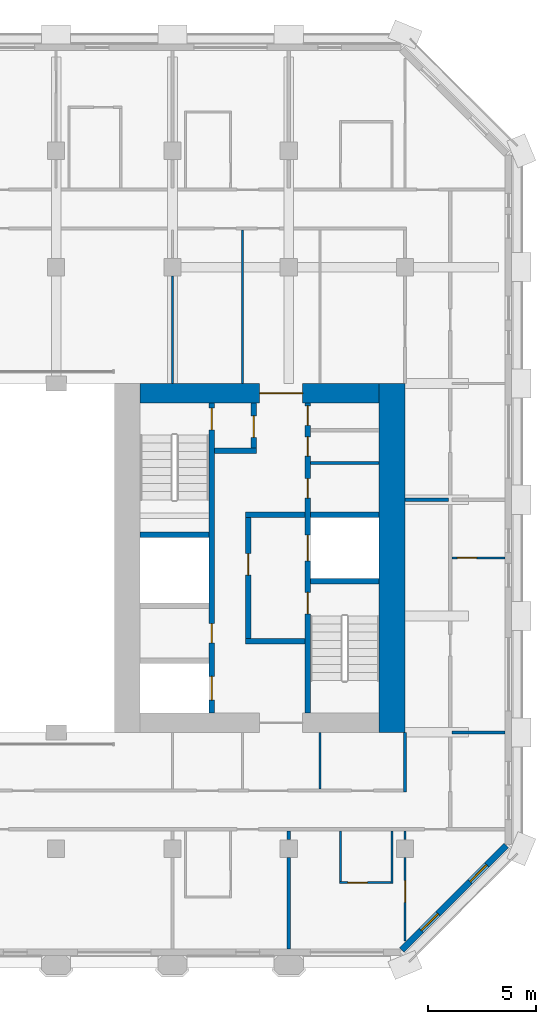
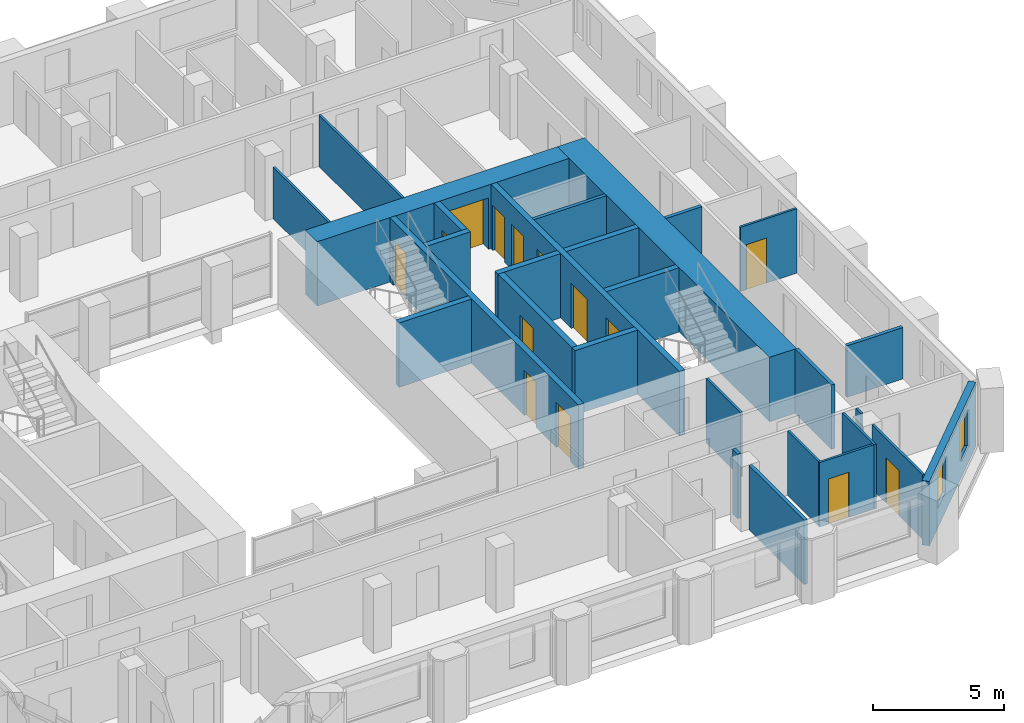
# One storey, part 6 of 12: 28 walls, 14 doors, 2 windows, 16 openings.
"""IFC4 building model written with IfcOpenShell, lengths in metres."""

from ifc_helpers import new_model, si_unit, direction, frame, frame_2d, origin, place, context, subcontext, project, spatial, rectangle, extrude, material, layer, layer_set, type_object, element, fill, save


model = new_model("IFC4")

# Units and contexts
model_context = context("Model", 3, precision=1e-05, world=origin(), true_north=direction((0.0, 1.0)))
body_context = subcontext(model_context, "Body", "Model", "MODEL_VIEW")
ifc_project = project(units=[si_unit("LENGTHUNIT", "METRE"), si_unit("AREAUNIT", "SQUARE_METRE"), si_unit("VOLUMEUNIT", "CUBIC_METRE"), si_unit("PLANEANGLEUNIT", "RADIAN"), si_unit("MASSUNIT", "GRAM", prefix="KILO")], contexts=[model_context])

# Site, building, storey
site_placement = place(None, origin())
site = spatial("IfcSite", under=ifc_project, at=site_placement, CompositionType="ELEMENT")
building_placement = place(site_placement, origin())
building = spatial("IfcBuilding", under=site, at=building_placement, Name="Tabaq Tower and Sports Hall", CompositionType="ELEMENT")
storey_placement = place(building_placement, frame((0.0, 0.0, 190.60009765625)))
storey = spatial("IfcBuildingStorey", under=building, at=storey_placement, Name="L46", CompositionType="ELEMENT", Elevation=190.60009765625)

# Walls
ifc_material_1 = material(Name="Blockwork", Category="masonry")
ifc_layer_1 = layer(ifc_material_1, 0.14990234375)
ifc_layer_set_1 = layer_set([ifc_layer_1], Name="Core room partition 150 Blockwork")
wall_type_1 = type_object("IfcWallType", Name="Core room partition 150 Blockwork", PredefinedType="PARTITIONING", material=ifc_layer_set_1)
wall_1_placement = place(storey_placement, frame((38.800048828125, 28.708984375, 0.0), z_axis=(0.0, 0.0, 1.0), x_axis=(1.0, 0.0, 0.0)))
element("IfcWall", 1, at=wall_1_placement, inside=storey, type_object=wall_type_1, Name="Core room partition E L46", PredefinedType="PARTITIONING", context=body_context, shape_type="SweptSolid", body=[
    extrude(rectangle(XDim=3.199951171875, YDim=0.14990234375, at=frame_2d((1.60009765625, 0.0))), origin(), (0.0, 0.0, 1.0), 3.0),
])
ifc_material_2 = material(Name="Concrete C50/60", Category="concrete")
ifc_layer_2 = layer(ifc_material_2, 1.199951171875)
ifc_layer_set_2 = layer_set([ifc_layer_2], Name="Core wall 1200 Concrete C50/60")
wall_type_2 = type_object("IfcWallType", Name="Core wall 1200 Concrete C50/60", PredefinedType="SOLIDWALL", material=ifc_layer_set_2)
wall_2_placement = place(storey_placement, frame((42.60009765625, 32.39990234375, 0.0), z_axis=(0.0, 0.0, 1.0), x_axis=(0.0, -1.0, 0.0)))
element("IfcWall", 2, at=wall_2_placement, inside=storey, type_object=wall_type_2, Name="Core wall E L46", PredefinedType="SOLIDWALL", context=body_context, shape_type="SweptSolid", body=[
    extrude(rectangle(XDim=16.199951171875, YDim=1.199951171875, at=frame_2d((8.10009765625, 0.0))), origin(), (0.0, 0.0, 1.0), 3.0),
])

# Wall, opening, door
ifc_material_3 = material(Name="Concrete C50/60", Category="concrete")
ifc_layer_3 = layer(ifc_material_3, 0.89990234375)
ifc_layer_set_3 = layer_set([ifc_layer_3], Name="Core wall 900 Concrete C50/60")
wall_type_3 = type_object("IfcWallType", Name="Core wall 900 Concrete C50/60", PredefinedType="SOLIDWALL", material=ifc_layer_set_3)
wall_3_placement = place(storey_placement, frame((30.89990234375, 31.949951171875, 0.0), z_axis=(0.0, 0.0, 1.0), x_axis=(1.0, 0.0, 0.0)))
wall_3 = element("IfcWall", 3, at=wall_3_placement, inside=storey, type_object=wall_type_3, Name="Core wall E L46", PredefinedType="SOLIDWALL", context=body_context, shape_type="SweptSolid", body=[
    extrude(rectangle(XDim=11.10009765625, YDim=0.89990234375, at=frame_2d((5.550048828125, 0.0))), origin(), (0.0, 0.0, 1.0), 3.0),
])
opening_1_placement = place(wall_3_placement, frame((5.550048828125, 0.0, 0.0)))
opening_1 = element("IfcOpeningElement", 4, at=opening_1_placement, cuts=wall_3, Name="Opening PD-EL46-02", PredefinedType="OPENING", context=body_context, shape_type="SweptSolid", body=[
    extrude(rectangle(XDim=2.0, YDim=2.39990234375, at=frame_2d((1.0, 1.199951171875))), frame((0.0, 0.449951171875, 0.0), z_axis=(0.0, -1.0, 0.0), x_axis=(1.0, 0.0, 0.0)), (0.0, 0.0, 1.0), 0.89990234375),
])
ifc_material_4 = material(Name="Steel fire door", Category="steel")
door_type_1 = type_object("IfcDoorType", Name="Core entrance door 2000", OperationType="DOUBLE_DOOR_SINGLE_SWING", PredefinedType="DOOR", material=ifc_material_4)
door_1_placement = place(opening_1_placement, origin())
door_1 = element("IfcDoor", 5, at=door_1_placement, inside=storey, type_object=door_type_1, Name="Core entrance north E L46", OperationType="DOUBLE_DOOR_SINGLE_SWING", OverallHeight=2.39990234375, OverallWidth=2.0, PredefinedType="DOOR", context=body_context, shape_type="SweptSolid", body=[
    extrude(rectangle(XDim=2.0, YDim=2.39990234375, at=frame_2d((1.0, 1.199951171875))), frame((0.0, 0.02490234375, 0.0), z_axis=(0.0, -1.0, 0.0), x_axis=(1.0, 0.0, 0.0)), (0.0, 0.0, 1.0), 0.050048828125),
])
fill(opening_1, door_1)

# Walls
ifc_material_5 = material(Name="Gypsum board on steel studs", Category="steel")
ifc_layer_4 = layer(ifc_material_5, 0.10009765625)
ifc_layer_set_4 = layer_set([ifc_layer_4], Name="Partition 100 Gypsum board")
wall_type_4 = type_object("IfcWallType", Name="Partition 100 Gypsum board", PredefinedType="PARTITIONING", material=ifc_layer_set_4)
wall_4_placement = place(storey_placement, frame((32.39990234375, 32.39990234375, 0.0), z_axis=(0.0, 0.0, 1.0), x_axis=(0.0, 1.0, 0.0)))
element("IfcWall", 6, at=wall_4_placement, inside=storey, type_object=wall_type_4, Name="Partition wall L46", PredefinedType="PARTITIONING", context=body_context, shape_type="SweptSolid", body=[
    extrude(rectangle(XDim=4.97998046875, YDim=0.10009765625, at=frame_2d((2.489990234375, 0.0))), origin(), (0.0, 0.0, 1.0), 2.39990234375),
])
wall_5_placement = place(storey_placement, frame((35.64990234375, 39.52490234375, 0.0), z_axis=(0.0, 0.0, 1.0), x_axis=(0.0, -1.0, 0.0)))
element("IfcWall", 7, at=wall_5_placement, inside=storey, type_object=wall_type_4, Name="Partition wall L46", PredefinedType="PARTITIONING", context=body_context, shape_type="SweptSolid", body=[
    extrude(rectangle(XDim=7.125, YDim=0.10009765625, at=frame_2d((3.5625, 0.0))), origin(), (0.0, 0.0, 1.0), 2.39990234375),
])

# Wall, opening, door
wall_6_placement = place(storey_placement, frame((43.199951171875, 6.51220703125, 0.0), z_axis=(0.0, 0.0, 1.0), x_axis=(0.0, 1.0, 0.0)))
wall_6 = element("IfcWall", 8, at=wall_6_placement, inside=storey, type_object=wall_type_4, Name="Partition wall L46", PredefinedType="PARTITIONING", context=body_context, shape_type="SweptSolid", body=[
    extrude(rectangle(XDim=3.86767578125, YDim=0.10009765625, at=frame_2d((1.933837890625, 0.0))), origin(), (0.0, 0.0, 1.0), 3.0),
])
opening_2_placement = place(wall_6_placement, frame((1.80029296875, 0.0, 0.0)))
opening_2 = element("IfcOpeningElement", 9, at=opening_2_placement, cuts=wall_6, Name="Opening L46-037", PredefinedType="OPENING", context=body_context, shape_type="SweptSolid", body=[
    extrude(rectangle(XDim=1.0, YDim=2.10009765625, at=frame_2d((0.5, 1.050048828125))), frame((0.0, 0.050048828125, 0.0), z_axis=(0.0, -1.0, 0.0), x_axis=(1.0, 0.0, 0.0)), (0.0, 0.0, 1.0), 0.10009765625),
])
ifc_material_6 = material(Name="Timber leaf in steel frame", Category="steel")
door_type_2 = type_object("IfcDoorType", Name="Internal door 1000 right hand", OperationType="SINGLE_SWING_RIGHT", PredefinedType="DOOR", material=ifc_material_6)
door_2_placement = place(opening_2_placement, origin())
door_2 = element("IfcDoor", 10, at=door_2_placement, inside=storey, type_object=door_type_2, Name="Internal door L46-037", OperationType="SINGLE_SWING_RIGHT", OverallHeight=2.10009765625, OverallWidth=1.0, PredefinedType="DOOR", context=body_context, shape_type="SweptSolid", body=[
    extrude(rectangle(XDim=1.0, YDim=2.10009765625, at=frame_2d((0.5, 1.050048828125))), frame((0.0, 0.02490234375, 0.0), z_axis=(0.0, -1.0, 0.0), x_axis=(1.0, 0.0, 0.0)), (0.0, 0.0, 1.0), 0.050048828125),
])
fill(opening_2, door_2)

# Walls
wall_7_placement = place(storey_placement, frame((43.199951171875, 11.219970703125, 0.0), z_axis=(0.0, 0.0, 1.0), x_axis=(0.0, 1.0, 0.0)))
element("IfcWall", 11, at=wall_7_placement, inside=storey, type_object=wall_type_4, Name="Partition wall L46", PredefinedType="PARTITIONING", context=body_context, shape_type="SweptSolid", body=[
    extrude(rectangle(XDim=0.405029296875, YDim=0.10009765625, at=frame_2d((0.20263671875, 0.0))), origin(), (0.0, 0.0, 1.0), 3.0),
])
wall_8_placement = place(storey_placement, frame((42.60009765625, 11.625, 0.0), z_axis=(0.0, 0.0, 1.0), x_axis=(0.0, -1.0, 0.0)))
element("IfcWall", 12, at=wall_8_placement, inside=storey, type_object=wall_type_4, Name="Partition wall L46", PredefinedType="PARTITIONING", context=body_context, shape_type="SweptSolid", body=[
    extrude(rectangle(XDim=2.449951171875, YDim=0.10009765625, at=frame_2d((1.22509765625, 0.0))), origin(), (0.0, 0.0, 1.0), 3.0),
])

# Wall, opening, door
wall_9_placement = place(storey_placement, frame((42.550048828125, 9.22509765625, 0.0), z_axis=(0.0, 0.0, 1.0), x_axis=(-1.0, 0.0, 0.0)))
wall_9 = element("IfcWall", 13, at=wall_9_placement, inside=storey, type_object=wall_type_4, Name="Partition wall L46", PredefinedType="PARTITIONING", context=body_context, shape_type="SweptSolid", body=[
    extrude(rectangle(XDim=2.400146484375, YDim=0.10009765625, at=frame_2d((1.2001953125, 0.0))), origin(), (0.0, 0.0, 1.0), 3.0),
])
opening_3_placement = place(wall_9_placement, frame((1.10009765625, 0.0, 0.0)))
opening_3 = element("IfcOpeningElement", 14, at=opening_3_placement, cuts=wall_9, Name="Opening L46-017", PredefinedType="OPENING", context=body_context, shape_type="SweptSolid", body=[
    extrude(rectangle(XDim=0.89990234375, YDim=2.10009765625, at=frame_2d((0.449951171875, 1.050048828125))), frame((0.0, 0.050048828125, 0.0), z_axis=(0.0, -1.0, 0.0), x_axis=(1.0, 0.0, 0.0)), (0.0, 0.0, 1.0), 0.10009765625),
])
ifc_material_7 = material(Name="Timber leaf in steel frame", Category="steel")
door_type_3 = type_object("IfcDoorType", Name="Internal door 900 right hand", OperationType="SINGLE_SWING_RIGHT", PredefinedType="DOOR", material=ifc_material_7)
door_3_placement = place(opening_3_placement, origin())
door_3 = element("IfcDoor", 15, at=door_3_placement, inside=storey, type_object=door_type_3, Name="Internal door L46-017", OperationType="SINGLE_SWING_RIGHT", OverallHeight=2.10009765625, OverallWidth=0.89990234375, PredefinedType="DOOR", context=body_context, shape_type="SweptSolid", body=[
    extrude(rectangle(XDim=0.89990234375, YDim=2.10009765625, at=frame_2d((0.449951171875, 1.050048828125))), frame((0.0, 0.02490234375, 0.0), z_axis=(0.0, -1.0, 0.0), x_axis=(1.0, 0.0, 0.0)), (0.0, 0.0, 1.0), 0.050048828125),
])
fill(opening_3, door_3)

# Wall
wall_10_placement = place(storey_placement, frame((40.199951171875, 9.27490234375, 0.0), z_axis=(0.0, 0.0, 1.0), x_axis=(0.0, 1.0, 0.0)))
element("IfcWall", 16, at=wall_10_placement, inside=storey, type_object=wall_type_4, Name="Partition wall L46", PredefinedType="PARTITIONING", context=body_context, shape_type="SweptSolid", body=[
    extrude(rectangle(XDim=2.35009765625, YDim=0.10009765625, at=frame_2d((1.175048828125, 0.0))), origin(), (0.0, 0.0, 1.0), 3.0),
])

# Wall, opening, door
wall_11_placement = place(storey_placement, frame((47.84912109375, 24.300048828125, 0.0), z_axis=(0.0, 0.0, 1.0), x_axis=(-1.0, 0.0, 0.0)))
wall_11 = element("IfcWall", 17, at=wall_11_placement, inside=storey, type_object=wall_type_4, Name="Partition wall L46", PredefinedType="PARTITIONING", context=body_context, shape_type="SweptSolid", body=[
    extrude(rectangle(XDim=2.47412109375, YDim=0.10009765625, at=frame_2d((1.237060546875, 0.0))), origin(), (0.0, 0.0, 1.0), 3.0),
])
opening_4_placement = place(wall_11_placement, frame((1.323974609375, 0.0, 0.0)))
opening_4 = element("IfcOpeningElement", 18, at=opening_4_placement, cuts=wall_11, Name="Opening L46-020", PredefinedType="OPENING", context=body_context, shape_type="SweptSolid", body=[
    extrude(rectangle(XDim=0.89990234375, YDim=2.10009765625, at=frame_2d((0.449951171875, 1.050048828125))), frame((0.0, 0.050048828125, 0.0), z_axis=(0.0, -1.0, 0.0), x_axis=(1.0, 0.0, 0.0)), (0.0, 0.0, 1.0), 0.10009765625),
])
ifc_material_8 = material(Name="Timber leaf in steel frame", Category="steel")
door_type_4 = type_object("IfcDoorType", Name="Internal door 900 left hand", OperationType="SINGLE_SWING_LEFT", PredefinedType="DOOR", material=ifc_material_8)
door_4_placement = place(opening_4_placement, origin())
door_4 = element("IfcDoor", 19, at=door_4_placement, inside=storey, type_object=door_type_4, Name="Internal door L46-020", OperationType="SINGLE_SWING_LEFT", OverallHeight=2.10009765625, OverallWidth=0.89990234375, PredefinedType="DOOR", context=body_context, shape_type="SweptSolid", body=[
    extrude(rectangle(XDim=0.89990234375, YDim=2.10009765625, at=frame_2d((0.449951171875, 1.050048828125))), frame((0.0, 0.02490234375, 0.0), z_axis=(0.0, -1.0, 0.0), x_axis=(1.0, 0.0, 0.0)), (0.0, 0.0, 1.0), 0.050048828125),
])
fill(opening_4, door_4)

# Walls
wall_12_placement = place(storey_placement, frame((39.25, 13.574951171875, 0.0), z_axis=(0.0, 0.0, 1.0), x_axis=(0.0, 1.0, 0.0)))
element("IfcWall", 20, at=wall_12_placement, inside=storey, type_object=wall_type_4, Name="Partition wall L46", PredefinedType="PARTITIONING", context=body_context, shape_type="SweptSolid", body=[
    extrude(rectangle(XDim=2.625, YDim=0.10009765625, at=frame_2d((1.3125, 0.0))), origin(), (0.0, 0.0, 1.0), 3.0),
])
ifc_material_9 = material(Name="Blockwork", Category="masonry")
ifc_layer_5 = layer(ifc_material_9, 0.14990234375)
ifc_layer_set_5 = layer_set([ifc_layer_5], Name="Separating wall 150 Blockwork")
wall_type_5 = type_object("IfcWallType", Name="Separating wall 150 Blockwork", PredefinedType="PARTITIONING", material=ifc_layer_set_5)
wall_13_placement = place(storey_placement, frame((43.199951171875, 27.0, 0.0), z_axis=(0.0, 0.0, 1.0), x_axis=(1.0, 0.0, 0.0)))
element("IfcWall", 21, at=wall_13_placement, inside=storey, type_object=wall_type_5, Name="Separating wall L46", PredefinedType="PARTITIONING", context=body_context, shape_type="SweptSolid", body=[
    extrude(rectangle(XDim=2.025146484375, YDim=0.14990234375, at=frame_2d((1.0126953125, 0.0))), origin(), (0.0, 0.0, 1.0), 2.39990234375),
])
wall_14_placement = place(storey_placement, frame((47.84912109375, 16.199951171875, 0.0), z_axis=(0.0, 0.0, 1.0), x_axis=(-1.0, 0.0, 0.0)))
element("IfcWall", 22, at=wall_14_placement, inside=storey, type_object=wall_type_5, Name="Separating wall L46", PredefinedType="PARTITIONING", context=body_context, shape_type="SweptSolid", body=[
    extrude(rectangle(XDim=2.47412109375, YDim=0.14990234375, at=frame_2d((1.237060546875, 0.0))), origin(), (0.0, 0.0, 1.0), 2.39990234375),
])
wall_15_placement = place(storey_placement, frame((37.800048828125, 6.15087890625, 0.0), z_axis=(0.0, 0.0, 1.0), x_axis=(0.0, 1.0, 0.0)))
element("IfcWall", 23, at=wall_15_placement, inside=storey, type_object=wall_type_5, Name="Separating wall L46", PredefinedType="PARTITIONING", context=body_context, shape_type="SweptSolid", body=[
    extrude(rectangle(XDim=4.22900390625, YDim=0.14990234375, at=frame_2d((2.114501953125, 0.0))), origin(), (0.0, 0.0, 1.0), 3.0),
])
wall_16_placement = place(storey_placement, frame((37.800048828125, 11.219970703125, 0.0), z_axis=(0.0, 0.0, 1.0), x_axis=(0.0, 1.0, 0.0)))
element("IfcWall", 24, at=wall_16_placement, inside=storey, type_object=wall_type_5, Name="Separating wall L46", PredefinedType="PARTITIONING", context=body_context, shape_type="SweptSolid", body=[
    extrude(rectangle(XDim=0.405029296875, YDim=0.14990234375, at=frame_2d((0.20263671875, 0.0))), origin(), (0.0, 0.0, 1.0), 3.0),
])
wall_17_placement = place(storey_placement, frame((43.199951171875, 16.199951171875, 0.0), z_axis=(0.0, 0.0, 1.0), x_axis=(0.0, -1.0, 0.0)))
element("IfcWall", 25, at=wall_17_placement, inside=storey, type_object=wall_type_5, Name="Separating wall L46", PredefinedType="PARTITIONING", context=body_context, shape_type="SweptSolid", body=[
    extrude(rectangle(XDim=2.77490234375, YDim=0.14990234375, at=frame_2d((1.387451171875, 0.0))), origin(), (0.0, 0.0, 1.0), 3.0),
])

# Wall, openings, doors
ifc_material_10 = material(Name="Concrete C40/50", Category="concrete")
ifc_layer_6 = layer(ifc_material_10, 0.25)
ifc_layer_set_6 = layer_set([ifc_layer_6], Name="Shaft and stair wall 250 Concrete C40/50")
wall_type_6 = type_object("IfcWallType", Name="Shaft and stair wall 250 Concrete C40/50", PredefinedType="SOLIDWALL", material=ifc_layer_set_6)
wall_18_placement = place(storey_placement, frame((38.675048828125, 17.10009765625, 0.0), z_axis=(0.0, 0.0, 1.0), x_axis=(0.0, 1.0, 0.0)))
wall_18 = element("IfcWall", 26, at=wall_18_placement, inside=storey, type_object=wall_type_6, Name="Shaft wall E L46", PredefinedType="SOLIDWALL", context=body_context, shape_type="SweptSolid", body=[
    extrude(rectangle(XDim=14.39990234375, YDim=0.25, at=frame_2d((7.199951171875, 0.0))), origin(), (0.0, 0.0, 1.0), 3.0),
])
opening_5_placement = place(wall_18_placement, frame((4.60009765625, 0.0, 0.0)))
opening_5 = element("IfcOpeningElement", 27, at=opening_5_placement, cuts=wall_18, Name="Opening SD-EL46-03", PredefinedType="OPENING", context=body_context, shape_type="SweptSolid", body=[
    extrude(rectangle(XDim=1.0, YDim=2.10009765625, at=frame_2d((0.5, 1.050048828125))), frame((0.0, 0.125, 0.0), z_axis=(0.0, -1.0, 0.0), x_axis=(1.0, 0.0, 0.0)), (0.0, 0.0, 1.0), 0.25),
])
opening_6_placement = place(wall_18_placement, frame((7.0625, 0.0, 0.0)))
opening_6 = element("IfcOpeningElement", 28, at=opening_6_placement, cuts=wall_18, Name="Opening LD-FF2-L46", PredefinedType="OPENING", context=body_context, shape_type="SweptSolid", body=[
    extrude(rectangle(XDim=1.199951171875, YDim=2.10009765625, at=frame_2d((0.60009765625, 1.050048828125))), frame((0.0, 0.125, 0.0), z_axis=(0.0, -1.0, 0.0), x_axis=(1.0, 0.0, 0.0)), (0.0, 0.0, 1.0), 0.25),
])
opening_7_placement = place(wall_18_placement, frame((9.9794921875, 0.0, 0.0)))
opening_7 = element("IfcOpeningElement", 29, at=opening_7_placement, cuts=wall_18, Name="Opening RD-EL46-09", PredefinedType="OPENING", context=body_context, shape_type="SweptSolid", body=[
    extrude(rectangle(XDim=0.89990234375, YDim=2.10009765625, at=frame_2d((0.449951171875, 1.050048828125))), frame((0.0, 0.125, 0.0), z_axis=(0.0, -1.0, 0.0), x_axis=(1.0, 0.0, 0.0)), (0.0, 0.0, 1.0), 0.25),
])
opening_8_placement = place(wall_18_placement, frame((11.92041015625, 0.0, 0.0)))
opening_8 = element("IfcOpeningElement", 30, at=opening_8_placement, cuts=wall_18, Name="Opening RD-EL46-10", PredefinedType="OPENING", context=body_context, shape_type="SweptSolid", body=[
    extrude(rectangle(XDim=0.89990234375, YDim=2.10009765625, at=frame_2d((0.449951171875, 1.050048828125))), frame((0.0, 0.125, 0.0), z_axis=(0.0, -1.0, 0.0), x_axis=(1.0, 0.0, 0.0)), (0.0, 0.0, 1.0), 0.25),
])
opening_9_placement = place(wall_18_placement, frame((13.353515625, 0.0, 0.0)))
opening_9 = element("IfcOpeningElement", 31, at=opening_9_placement, cuts=wall_18, Name="Opening RD-EL46-11", PredefinedType="OPENING", context=body_context, shape_type="SweptSolid", body=[
    extrude(rectangle(XDim=0.89990234375, YDim=2.10009765625, at=frame_2d((0.449951171875, 1.050048828125))), frame((0.0, 0.125, 0.0), z_axis=(0.0, -1.0, 0.0), x_axis=(1.0, 0.0, 0.0)), (0.0, 0.0, 1.0), 0.25),
])
ifc_material_11 = material(Name="Steel fire door", Category="steel")
door_type_5 = type_object("IfcDoorType", Name="Core room door 900", OperationType="SINGLE_SWING_LEFT", PredefinedType="DOOR", material=ifc_material_11)
door_5_placement = place(opening_7_placement, origin())
door_5 = element("IfcDoor", 32, at=door_5_placement, inside=storey, type_object=door_type_5, Name="Door Unisex WC E L46", OperationType="SINGLE_SWING_LEFT", OverallHeight=2.10009765625, OverallWidth=0.89990234375, PredefinedType="DOOR", context=body_context, shape_type="SweptSolid", body=[
    extrude(rectangle(XDim=0.89990234375, YDim=2.10009765625, at=frame_2d((0.449951171875, 1.050048828125))), frame((0.0, 0.02490234375, 0.0), z_axis=(0.0, -1.0, 0.0), x_axis=(1.0, 0.0, 0.0)), (0.0, 0.0, 1.0), 0.050048828125),
])
fill(opening_7, door_5)
door_6_placement = place(opening_8_placement, origin())
door_6 = element("IfcDoor", 33, at=door_6_placement, inside=storey, type_object=door_type_5, Name="Door Accessible WC E L46", OperationType="SINGLE_SWING_LEFT", OverallHeight=2.10009765625, OverallWidth=0.89990234375, PredefinedType="DOOR", context=body_context, shape_type="SweptSolid", body=[
    extrude(rectangle(XDim=0.89990234375, YDim=2.10009765625, at=frame_2d((0.449951171875, 1.050048828125))), frame((0.0, 0.02490234375, 0.0), z_axis=(0.0, -1.0, 0.0), x_axis=(1.0, 0.0, 0.0)), (0.0, 0.0, 1.0), 0.050048828125),
])
fill(opening_8, door_6)
door_7_placement = place(opening_9_placement, origin())
door_7 = element("IfcDoor", 34, at=door_7_placement, inside=storey, type_object=door_type_5, Name="Door Electrical Riser Room E L46", OperationType="SINGLE_SWING_LEFT", OverallHeight=2.10009765625, OverallWidth=0.89990234375, PredefinedType="DOOR", context=body_context, shape_type="SweptSolid", body=[
    extrude(rectangle(XDim=0.89990234375, YDim=2.10009765625, at=frame_2d((0.449951171875, 1.050048828125))), frame((0.0, 0.02490234375, 0.0), z_axis=(0.0, -1.0, 0.0), x_axis=(1.0, 0.0, 0.0)), (0.0, 0.0, 1.0), 0.050048828125),
])
fill(opening_9, door_7)
ifc_material_12 = material(Name="Stainless steel", Category="steel")
door_type_6 = type_object("IfcDoorType", Name="Lift landing door 1200", OperationType="DOUBLE_DOOR_SLIDING", PredefinedType="DOOR", material=ifc_material_12)
door_8_placement = place(opening_6_placement, origin())
door_8 = element("IfcDoor", 35, at=door_8_placement, inside=storey, type_object=door_type_6, Name="Lift landing door FF2 E L46", OperationType="DOUBLE_DOOR_SLIDING", OverallHeight=2.10009765625, OverallWidth=1.199951171875, PredefinedType="DOOR", context=body_context, shape_type="SweptSolid", body=[
    extrude(rectangle(XDim=1.199951171875, YDim=2.10009765625, at=frame_2d((0.60009765625, 1.050048828125))), frame((0.0, 0.02490234375, 0.0), z_axis=(0.0, -1.0, 0.0), x_axis=(1.0, 0.0, 0.0)), (0.0, 0.0, 1.0), 0.050048828125),
])
fill(opening_6, door_8)
ifc_material_13 = material(Name="Steel fire door", Category="steel")
door_type_7 = type_object("IfcDoorType", Name="Stair door 1000", OperationType="SINGLE_SWING_LEFT", PredefinedType="DOOR", material=ifc_material_13)
door_9_placement = place(opening_5_placement, origin())
door_9 = element("IfcDoor", 36, at=door_9_placement, inside=storey, type_object=door_type_7, Name="Stair door ST3 E L46", OperationType="SINGLE_SWING_LEFT", OverallHeight=2.10009765625, OverallWidth=1.0, PredefinedType="DOOR", context=body_context, shape_type="SweptSolid", body=[
    extrude(rectangle(XDim=1.0, YDim=2.10009765625, at=frame_2d((0.5, 1.050048828125))), frame((0.0, 0.02490234375, 0.0), z_axis=(0.0, -1.0, 0.0), x_axis=(1.0, 0.0, 0.0)), (0.0, 0.0, 1.0), 0.050048828125),
])
fill(opening_5, door_9)

wall_19_placement = place(storey_placement, frame((34.22509765625, 17.10009765625, 0.0), z_axis=(0.0, 0.0, 1.0), x_axis=(0.0, 1.0, 0.0)))
wall_19 = element("IfcWall", 37, at=wall_19_placement, inside=storey, type_object=wall_type_6, Name="Shaft wall E L46", PredefinedType="SOLIDWALL", context=body_context, shape_type="SweptSolid", body=[
    extrude(rectangle(XDim=14.39990234375, YDim=0.25, at=frame_2d((7.199951171875, 0.0))), origin(), (0.0, 0.0, 1.0), 3.0),
])
opening_10_placement = place(wall_19_placement, frame((13.14990234375, 0.0, 0.0)))
opening_10 = element("IfcOpeningElement", 38, at=opening_10_placement, cuts=wall_19, Name="Opening SD-EL46-05", PredefinedType="OPENING", context=body_context, shape_type="SweptSolid", body=[
    extrude(rectangle(XDim=1.0, YDim=2.10009765625, at=frame_2d((0.5, 1.050048828125))), frame((0.0, 0.125, 0.0), z_axis=(0.0, -1.0, 0.0), x_axis=(1.0, 0.0, 0.0)), (0.0, 0.0, 1.0), 0.25),
])
opening_11_placement = place(wall_19_placement, frame((0.60009765625, 0.0, 0.0)))
opening_11 = element("IfcOpeningElement", 39, at=opening_11_placement, cuts=wall_19, Name="Opening LD-MR2-L46", PredefinedType="OPENING", context=body_context, shape_type="SweptSolid", body=[
    extrude(rectangle(XDim=1.10009765625, YDim=2.10009765625, at=frame_2d((0.550048828125, 1.050048828125))), frame((0.0, 0.125, 0.0), z_axis=(0.0, -1.0, 0.0), x_axis=(1.0, 0.0, 0.0)), (0.0, 0.0, 1.0), 0.25),
])
opening_12_placement = place(wall_19_placement, frame((3.25, 0.0, 0.0)))
opening_12 = element("IfcOpeningElement", 40, at=opening_12_placement, cuts=wall_19, Name="Opening RD-EL46-12", PredefinedType="OPENING", context=body_context, shape_type="SweptSolid", body=[
    extrude(rectangle(XDim=0.89990234375, YDim=2.10009765625, at=frame_2d((0.449951171875, 1.050048828125))), frame((0.0, 0.125, 0.0), z_axis=(0.0, -1.0, 0.0), x_axis=(1.0, 0.0, 0.0)), (0.0, 0.0, 1.0), 0.25),
])
door_10_placement = place(opening_12_placement, origin())
door_10 = element("IfcDoor", 41, at=door_10_placement, inside=storey, type_object=door_type_5, Name="Door Cleaner's Store E L46", OperationType="SINGLE_SWING_LEFT", OverallHeight=2.10009765625, OverallWidth=0.89990234375, PredefinedType="DOOR", context=body_context, shape_type="SweptSolid", body=[
    extrude(rectangle(XDim=0.89990234375, YDim=2.10009765625, at=frame_2d((0.449951171875, 1.050048828125))), frame((0.0, 0.02490234375, 0.0), z_axis=(0.0, -1.0, 0.0), x_axis=(1.0, 0.0, 0.0)), (0.0, 0.0, 1.0), 0.050048828125),
])
fill(opening_12, door_10)
ifc_material_14 = material(Name="Stainless steel", Category="steel")
door_type_8 = type_object("IfcDoorType", Name="Lift landing door 1100", OperationType="DOUBLE_DOOR_SLIDING", PredefinedType="DOOR", material=ifc_material_14)
door_11_placement = place(opening_11_placement, origin())
door_11 = element("IfcDoor", 42, at=door_11_placement, inside=storey, type_object=door_type_8, Name="Lift landing door MR2 E L46", OperationType="DOUBLE_DOOR_SLIDING", OverallHeight=2.10009765625, OverallWidth=1.10009765625, PredefinedType="DOOR", context=body_context, shape_type="SweptSolid", body=[
    extrude(rectangle(XDim=1.10009765625, YDim=2.10009765625, at=frame_2d((0.550048828125, 1.050048828125))), frame((0.0, 0.02490234375, 0.0), z_axis=(0.0, -1.0, 0.0), x_axis=(1.0, 0.0, 0.0)), (0.0, 0.0, 1.0), 0.050048828125),
])
fill(opening_11, door_11)
door_12_placement = place(opening_10_placement, origin())
door_12 = element("IfcDoor", 43, at=door_12_placement, inside=storey, type_object=door_type_7, Name="Stair door ST4 E L46", OperationType="SINGLE_SWING_LEFT", OverallHeight=2.10009765625, OverallWidth=1.0, PredefinedType="DOOR", context=body_context, shape_type="SweptSolid", body=[
    extrude(rectangle(XDim=1.0, YDim=2.10009765625, at=frame_2d((0.5, 1.050048828125))), frame((0.0, 0.02490234375, 0.0), z_axis=(0.0, -1.0, 0.0), x_axis=(1.0, 0.0, 0.0)), (0.0, 0.0, 1.0), 0.050048828125),
])
fill(opening_10, door_12)

# Walls
wall_20_placement = place(storey_placement, frame((38.800048828125, 23.22509765625, 0.0), z_axis=(0.0, 0.0, 1.0), x_axis=(1.0, 0.0, 0.0)))
element("IfcWall", 44, at=wall_20_placement, inside=storey, type_object=wall_type_6, Name="Stair enclosure wall E L46", PredefinedType="SOLIDWALL", context=body_context, shape_type="SweptSolid", body=[
    extrude(rectangle(XDim=3.199951171875, YDim=0.25, at=frame_2d((1.60009765625, 0.0))), origin(), (0.0, 0.0, 1.0), 3.0),
])
wall_21_placement = place(storey_placement, frame((30.89990234375, 25.375, 0.0), z_axis=(0.0, 0.0, 1.0), x_axis=(1.0, 0.0, 0.0)))
element("IfcWall", 45, at=wall_21_placement, inside=storey, type_object=wall_type_6, Name="Stair enclosure wall E L46", PredefinedType="SOLIDWALL", context=body_context, shape_type="SweptSolid", body=[
    extrude(rectangle(XDim=3.2001953125, YDim=0.25, at=frame_2d((1.60009765625, 0.0))), origin(), (0.0, 0.0, 1.0), 3.0),
])
wall_22_placement = place(storey_placement, frame((38.800048828125, 26.300048828125, 0.0), z_axis=(0.0, 0.0, 1.0), x_axis=(1.0, 0.0, 0.0)))
element("IfcWall", 46, at=wall_22_placement, inside=storey, type_object=wall_type_6, Name="Shaft wall E L46", PredefinedType="SOLIDWALL", context=body_context, shape_type="SweptSolid", body=[
    extrude(rectangle(XDim=3.199951171875, YDim=0.25, at=frame_2d((1.60009765625, 0.0))), origin(), (0.0, 0.0, 1.0), 3.0),
])
for number, where, z_axis, x_axis, name in (
    (47, (35.800048828125, 26.300048828125, 0.0), (0.0, 0.0, 1.0), (1.0, 0.0, 0.0), "Fire-fighting lobby wall E L46"),
    (48, (35.800048828125, 20.425048828125, 0.0), (0.0, 0.0, 1.0), (1.0, 0.0, 0.0), "Fire-fighting lobby wall E L46"),
):
    element("IfcWall", number, at=place(storey_placement, frame(where, z_axis=z_axis, x_axis=x_axis)), inside=storey, type_object=wall_type_6, Name=name, PredefinedType="SOLIDWALL", context=body_context, shape_type="SweptSolid", body=[
        extrude(rectangle(XDim=2.75, YDim=0.25, at=frame_2d((1.375, 0.0))), origin(), (0.0, 0.0, 1.0), 3.0),
    ])

# Wall, opening, door
wall_23_placement = place(storey_placement, frame((36.175048828125, 29.39990234375, 0.0), z_axis=(0.0, 0.0, 1.0), x_axis=(0.0, 1.0, 0.0)))
wall_23 = element("IfcWall", 49, at=wall_23_placement, inside=storey, type_object=wall_type_6, Name="Fire-fighting lobby wall E L46", PredefinedType="SOLIDWALL", context=body_context, shape_type="SweptSolid", body=[
    extrude(rectangle(XDim=2.10009765625, YDim=0.25, at=frame_2d((1.050048828125, 0.0))), origin(), (0.0, 0.0, 1.0), 3.0),
])
opening_13_placement = place(wall_23_placement, frame((0.5, 0.0, 0.0)))
opening_13 = element("IfcOpeningElement", 50, at=opening_13_placement, cuts=wall_23, Name="Opening FD-EL46-06", PredefinedType="OPENING", context=body_context, shape_type="SweptSolid", body=[
    extrude(rectangle(XDim=1.0, YDim=2.10009765625, at=frame_2d((0.5, 1.050048828125))), frame((0.0, 0.125, 0.0), z_axis=(0.0, -1.0, 0.0), x_axis=(1.0, 0.0, 0.0)), (0.0, 0.0, 1.0), 0.25),
])
ifc_material_15 = material(Name="Steel fire door", Category="steel")
door_type_9 = type_object("IfcDoorType", Name="Fire-fighting lobby door 1000", OperationType="SINGLE_SWING_LEFT", PredefinedType="DOOR", material=ifc_material_15)
door_13_placement = place(opening_13_placement, origin())
door_13 = element("IfcDoor", 51, at=door_13_placement, inside=storey, type_object=door_type_9, Name="Stair lobby door E L46", OperationType="SINGLE_SWING_LEFT", OverallHeight=2.10009765625, OverallWidth=1.0, PredefinedType="DOOR", context=body_context, shape_type="SweptSolid", body=[
    extrude(rectangle(XDim=1.0, YDim=2.10009765625, at=frame_2d((0.5, 1.050048828125))), frame((0.0, 0.02490234375, 0.0), z_axis=(0.0, -1.0, 0.0), x_axis=(1.0, 0.0, 0.0)), (0.0, 0.0, 1.0), 0.050048828125),
])
fill(opening_13, door_13)

# Wall
wall_24_placement = place(storey_placement, frame((34.35009765625, 29.27490234375, 0.0), z_axis=(0.0, 0.0, 1.0), x_axis=(1.0, 0.0, 0.0)))
element("IfcWall", 52, at=wall_24_placement, inside=storey, type_object=wall_type_6, Name="Fire-fighting lobby wall E L46", PredefinedType="SOLIDWALL", context=body_context, shape_type="SweptSolid", body=[
    extrude(rectangle(XDim=1.949951171875, YDim=0.25, at=frame_2d((0.97509765625, 0.0))), origin(), (0.0, 0.0, 1.0), 3.0),
])

# Wall, opening, door
wall_25_placement = place(storey_placement, frame((35.925048828125, 20.550048828125, 0.0), z_axis=(0.0, 0.0, 1.0), x_axis=(0.0, 1.0, 0.0)))
wall_25 = element("IfcWall", 53, at=wall_25_placement, inside=storey, type_object=wall_type_6, Name="Fire-fighting lobby wall E L46", PredefinedType="SOLIDWALL", context=body_context, shape_type="SweptSolid", body=[
    extrude(rectangle(XDim=5.625, YDim=0.25, at=frame_2d((2.8125, 0.0))), origin(), (0.0, 0.0, 1.0), 3.0),
])
opening_14_placement = place(wall_25_placement, frame((2.949951171875, 0.0, 0.0)))
opening_14 = element("IfcOpeningElement", 54, at=opening_14_placement, cuts=wall_25, Name="Opening FD-EL46-04", PredefinedType="OPENING", context=body_context, shape_type="SweptSolid", body=[
    extrude(rectangle(XDim=1.0, YDim=2.10009765625, at=frame_2d((0.5, 1.050048828125))), frame((0.0, 0.125, 0.0), z_axis=(0.0, -1.0, 0.0), x_axis=(1.0, 0.0, 0.0)), (0.0, 0.0, 1.0), 0.25),
])
door_14_placement = place(opening_14_placement, origin())
door_14 = element("IfcDoor", 55, at=door_14_placement, inside=storey, type_object=door_type_9, Name="Fire-fighting lobby door E L46", OperationType="SINGLE_SWING_LEFT", OverallHeight=2.10009765625, OverallWidth=1.0, PredefinedType="DOOR", context=body_context, shape_type="SweptSolid", body=[
    extrude(rectangle(XDim=1.0, YDim=2.10009765625, at=frame_2d((0.5, 1.050048828125))), frame((0.0, 0.02490234375, 0.0), z_axis=(0.0, -1.0, 0.0), x_axis=(1.0, 0.0, 0.0)), (0.0, 0.0, 1.0), 0.050048828125),
])
fill(opening_14, door_14)

# Wall, openings, windows
ifc_material_16 = material(Name="White precast concrete C60/75", Category="concrete")
ifc_layer_7 = layer(ifc_material_16, 0.300048828125)
ifc_layer_set_7 = layer_set([ifc_layer_7], Name="White precast concrete C60/75 external wall 300")
wall_type_7 = type_object("IfcWallType", Name="White precast concrete C60/75 external wall 300", PredefinedType="SOLIDWALL", material=ifc_layer_set_7)
wall_26_placement = place(storey_placement, frame((43.050537109375, 6.098876953125, 0.0), z_axis=(0.0, 0.0, 1.0), x_axis=(0.707106781187, 0.707106781187, 0.0)))
wall_26 = element("IfcWall", 56, at=wall_26_placement, inside=storey, type_object=wall_type_7, Name="External Wall L46 SE", PredefinedType="SOLIDWALL", context=body_context, shape_type="SweptSolid", body=[
    extrude(rectangle(XDim=6.85986328125, YDim=0.300048828125, at=frame_2d((3.429931640625, 0.0))), origin(), (0.0, 0.0, 1.0), 3.0),
])
opening_15_placement = place(wall_26_placement, frame((1.27978515625, 0.0, 0.89990234375)))
opening_15 = element("IfcOpeningElement", 57, at=opening_15_placement, cuts=wall_26, Name="Opening W1B", PredefinedType="OPENING", context=body_context, shape_type="SweptSolid", body=[
    extrude(rectangle(XDim=1.10009765625, YDim=1.699951171875, at=frame_2d((0.550048828125, 0.85009765625))), frame((0.0, 0.16015625, 0.0), z_axis=(0.0, -1.0, 0.0), x_axis=(1.0, 0.0, 0.0)), (0.0, 0.0, 1.0), 0.320068359375),
])
opening_16_placement = place(wall_26_placement, frame((4.479736328125, 0.0, 0.89990234375)))
opening_16 = element("IfcOpeningElement", 58, at=opening_16_placement, cuts=wall_26, Name="Opening W1B", PredefinedType="OPENING", context=body_context, shape_type="SweptSolid", body=[
    extrude(rectangle(XDim=1.10009765625, YDim=1.699951171875, at=frame_2d((0.550048828125, 0.85009765625))), frame((0.0, 0.16015625, 0.0), z_axis=(0.0, -1.0, 0.0), x_axis=(1.0, 0.0, 0.0)), (0.0, 0.0, 1.0), 0.320068359375),
])
ifc_material_17 = material(Name="Aluminium framed clear glazing", Category="aluminium")
window_type = type_object("IfcWindowType", Name="Window W1B", PartitioningType="SINGLE_PANEL", PredefinedType="WINDOW", material=ifc_material_17)
window_1_placement = place(opening_15_placement, origin())
window_1 = element("IfcWindow", 59, at=window_1_placement, inside=storey, type_object=window_type, Name="Window W1B L46", OverallHeight=1.699951171875, OverallWidth=1.10009765625, PartitioningType="SINGLE_PANEL", PredefinedType="WINDOW", context=body_context, shape_type="SweptSolid", body=[
    extrude(rectangle(XDim=1.10009765625, YDim=1.699951171875, at=frame_2d((0.550048828125, 0.85009765625))), frame((0.0, 0.030029296875, 0.0), z_axis=(0.0, -1.0, 0.0), x_axis=(1.0, 0.0, 0.0)), (0.0, 0.0, 1.0), 0.06005859375),
])
fill(opening_15, window_1)
window_2_placement = place(opening_16_placement, origin())
window_2 = element("IfcWindow", 60, at=window_2_placement, inside=storey, type_object=window_type, Name="Window W1B L46", OverallHeight=1.699951171875, OverallWidth=1.10009765625, PartitioningType="SINGLE_PANEL", PredefinedType="WINDOW", context=body_context, shape_type="SweptSolid", body=[
    extrude(rectangle(XDim=1.10009765625, YDim=1.699951171875, at=frame_2d((0.550048828125, 0.85009765625))), frame((0.0, 0.030029296875, 0.0), z_axis=(0.0, -1.0, 0.0), x_axis=(1.0, 0.0, 0.0)), (0.0, 0.0, 1.0), 0.06005859375),
])
fill(opening_16, window_2)

save(model, "model.ifc")
